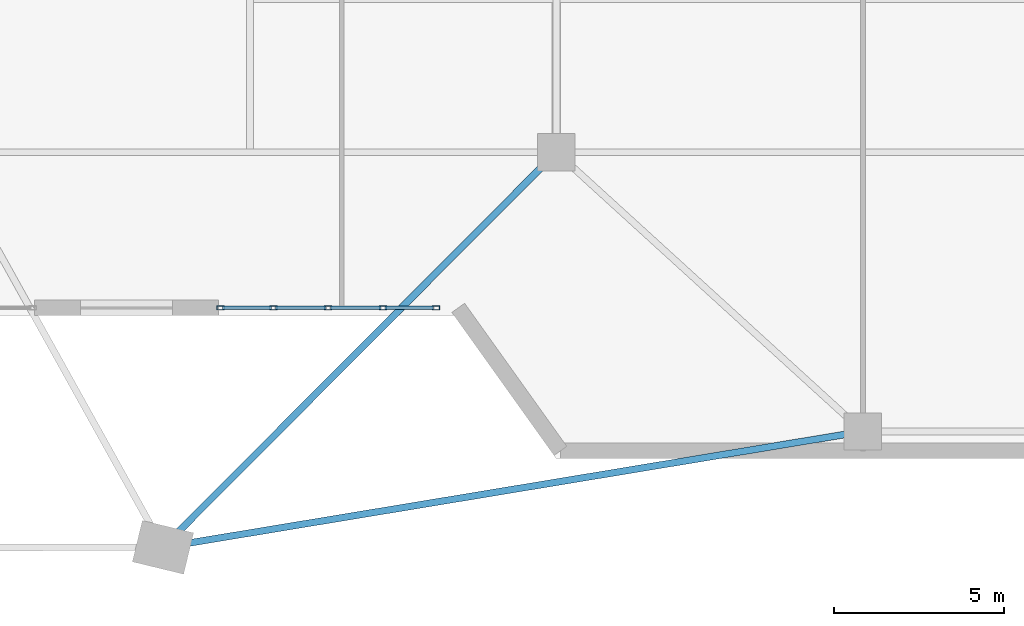
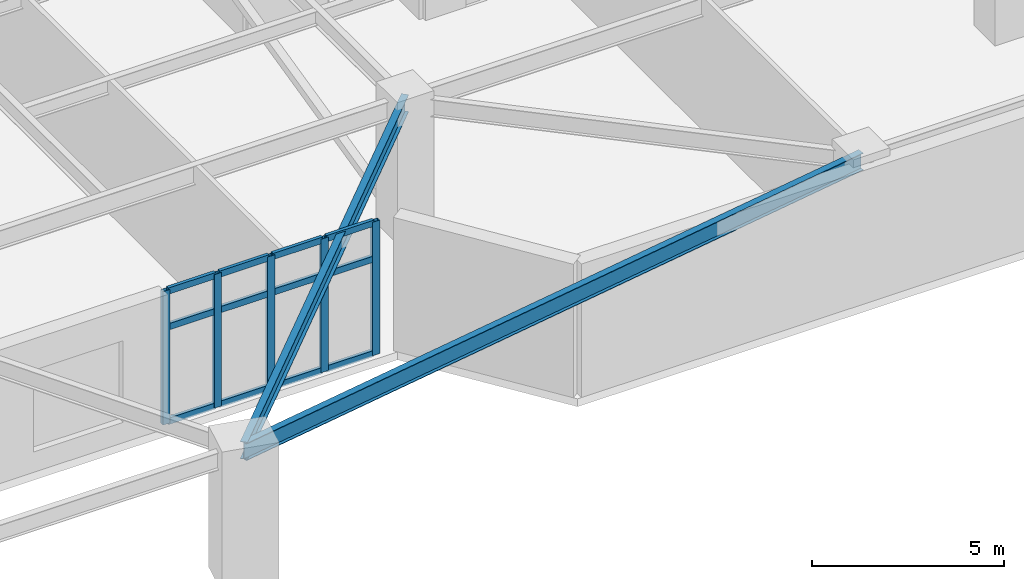
# One storey, part 10 of 29: 17 members, 2 beams, 1 element without a shape of its own.
"""IFC4 building model written with IfcOpenShell, lengths in metres."""

from ifc_helpers import new_model, si_unit, direction, frame, origin, origin_2d, place, context, subcontext, project, spatial, hollow_rectangle, i_section, extrude, source, transform, mapped, material, layer, layer_set, material_profile, profile_set, type_object, element, aggregate, save


model = new_model("IFC4")

# Units and contexts
model_context = context("Model", 3, precision=1e-05, world=origin(), true_north=direction((0.0, 1.0)))
body_context = subcontext(model_context, "Body", "Model", "MODEL_VIEW")
ifc_project = project(units=[si_unit("LENGTHUNIT", "METRE"), si_unit("AREAUNIT", "SQUARE_METRE"), si_unit("VOLUMEUNIT", "CUBIC_METRE"), si_unit("PLANEANGLEUNIT", "RADIAN"), si_unit("MASSUNIT", "GRAM", prefix="KILO")], contexts=[model_context])

# Site, building, storey
site_placement = place(None, origin())
site = spatial("IfcSite", under=ifc_project, at=site_placement, CompositionType="ELEMENT")
building_placement = place(site_placement, origin())
building = spatial("IfcBuilding", under=site, at=building_placement, Name="Liaohun Quay Tower", CompositionType="ELEMENT")
storey_placement = place(building_placement, frame((0.0, 0.0, 5.39990234375)))
storey = spatial("IfcBuildingStorey", under=building, at=storey_placement, Name="L02", CompositionType="ELEMENT", Elevation=5.39990234375)

# Beams
ifc_material_1 = material(Name="Steel Q355D", Category="steel")
ifc_material_profile_1 = material_profile(ifc_material_1, i_section(OverallWidth=0.199951171875, OverallDepth=0.550048828125, WebThickness=0.010009765625, FlangeThickness=0.01611328125, at=origin_2d()), Name="HN550x200x10x16")
ifc_profile_set_1 = profile_set([ifc_material_profile_1], Name="Steel Q355D")
beam_type = type_object("IfcBeamType", Name="BM-POD-G2", PredefinedType="BEAM", material=ifc_profile_set_1)
shared_shape_1 = source(origin(), body_context, "Body", "SweptSolid", [
    extrude(i_section(OverallWidth=0.199951171875, OverallDepth=0.550048828125, WebThickness=0.010009765625, FlangeThickness=0.01611328125, at=origin_2d()), origin(), (0.0, 0.0, 1.0), 16.371826171875),
])
beam_1_placement = place(storey_placement, frame((66.447998046875, 12.39892578125, 3.97509765625), z_axis=(0.705606504265, 0.708603881685, 0.0), x_axis=(-0.708603881685, 0.705606504265, 0.0)))
element("IfcBeam", 1, at=beam_1_placement, inside=storey, type_object=beam_type, Name="L02 Primary Grid Girder PC11-PG04", PredefinedType="BEAM", context=body_context, shape_type="MappedRepresentation", body=[
    mapped(shared_shape_1, transform((0.0, 0.0, 0.0), x_axis=(1.0, 0.0, 0.0), y_axis=(0.0, 1.0, 0.0), z_axis=(0.0, 0.0, 1.0), scale=1.0)),
])
shared_shape_2 = source(origin(), body_context, "Body", "SweptSolid", [
    extrude(i_section(OverallWidth=0.199951171875, OverallDepth=0.550048828125, WebThickness=0.010009765625, FlangeThickness=0.01611328125, at=origin_2d()), origin(), (0.0, 0.0, 1.0), 20.83154296875),
])
beam_2_placement = place(storey_placement, frame((66.447998046875, 12.39892578125, 3.97509765625), z_axis=(0.98658174219, 0.163268080095, 0.0), x_axis=(-0.163268080095, 0.98658174219, 0.0)))
element("IfcBeam", 2, at=beam_2_placement, inside=storey, type_object=beam_type, Name="L02 Perimeter Tie Girder PC11-PT03", PredefinedType="BEAM", context=body_context, shape_type="MappedRepresentation", body=[
    mapped(shared_shape_2, transform((0.0, 0.0, 0.0), x_axis=(1.0, 0.0, 0.0), y_axis=(0.0, 1.0, 0.0), z_axis=(0.0, 0.0, 1.0), scale=1.0)),
])

# Curtain wall, members
ifc_material_2 = material(Name="Thermally broken waterfront lobby unitised curtain wall")
ifc_layer = layer(ifc_material_2, 0.219970703125, Name="Thermally broken waterfront lobby unitised curtain wall")
ifc_layer_set = layer_set([ifc_layer], Name="Thermally broken waterfront lobby unitised curtain wall")
curtain_wall_type = type_object("IfcCurtainWallType", Name="CW-POD-PROM", PredefinedType="NOTDEFINED", material=ifc_layer_set)
curtain_wall_placement = place(storey_placement, origin())
curtain_wall = element("IfcCurtainWall", 3, at=curtain_wall_placement, inside=storey, type_object=curtain_wall_type, Name="L02 Waterfront Lobby Curtain Wall CW1-3", PredefinedType="NOTDEFINED")
ifc_material_3 = material(Name="Anodised aluminium 6063-T6", Category="aluminium")
ifc_material_profile_2 = material_profile(ifc_material_3, hollow_rectangle(XDim=0.10009765625, YDim=0.199951171875, WallThickness=0.006103515625, at=origin_2d()), Name="RHS200x100x6")
ifc_profile_set_2 = profile_set([ifc_material_profile_2], Name="Anodised aluminium 6063-T6")
member_type_1 = type_object("IfcMemberType", Name="MEM-CWT-LOB", PredefinedType="USERDEFINED", material=ifc_profile_set_2)
shared_shape_3 = source(origin(), body_context, "Body", "SweptSolid", [
    extrude(hollow_rectangle(XDim=0.10009765625, YDim=0.199951171875, WallThickness=0.006103515625, at=origin_2d()), origin(), (0.0, 0.0, 1.0), 1.42919921875),
])
member_1_placement = place(storey_placement, frame((68.201904296875, 19.429931640625, 0.050048828125), z_axis=(1.0, 0.0, 0.0), x_axis=(0.0, 1.0, 0.0)))
member_1 = element("IfcMember", 4, at=member_1_placement, type_object=member_type_1, Name="CW1 transom 1.1", ObjectType="TRANSOM", PredefinedType="USERDEFINED", context=body_context, shape_type="MappedRepresentation", body=[
    mapped(shared_shape_3, transform((0.0, 0.0, 0.0), x_axis=(1.0, 0.0, 0.0), y_axis=(0.0, 1.0, 0.0), z_axis=(0.0, 0.0, 1.0), scale=1.0)),
])
member_2_placement = place(storey_placement, frame((68.201904296875, 19.429931640625, 3.06005859375), z_axis=(1.0, 0.0, 0.0), x_axis=(0.0, 1.0, 0.0)))
member_2 = element("IfcMember", 5, at=member_2_placement, type_object=member_type_1, Name="CW1 transom 1.2", ObjectType="TRANSOM", PredefinedType="USERDEFINED", context=body_context, shape_type="MappedRepresentation", body=[
    mapped(shared_shape_3, transform((0.0, 0.0, 0.0), x_axis=(1.0, 0.0, 0.0), y_axis=(0.0, 1.0, 0.0), z_axis=(0.0, 0.0, 1.0), scale=1.0)),
])
member_3_placement = place(storey_placement, frame((68.201904296875, 19.429931640625, 4.2001953125), z_axis=(1.0, 0.0, 0.0), x_axis=(0.0, 1.0, 0.0)))
member_3 = element("IfcMember", 6, at=member_3_placement, type_object=member_type_1, Name="CW1 transom 1.3", ObjectType="TRANSOM", PredefinedType="USERDEFINED", context=body_context, shape_type="MappedRepresentation", body=[
    mapped(shared_shape_3, transform((0.0, 0.0, 0.0), x_axis=(1.0, 0.0, 0.0), y_axis=(0.0, 1.0, 0.0), z_axis=(0.0, 0.0, 1.0), scale=1.0)),
])
shared_shape_4 = source(origin(), body_context, "Body", "SweptSolid", [
    extrude(hollow_rectangle(XDim=0.10009765625, YDim=0.199951171875, WallThickness=0.006103515625, at=origin_2d()), origin(), (0.0, 0.0, 1.0), 1.489013671875),
])
member_4_placement = place(storey_placement, frame((69.7509765625, 19.429931640625, 0.050048828125), z_axis=(1.0, 0.0, 0.0), x_axis=(0.0, 1.0, 0.0)))
member_4 = element("IfcMember", 7, at=member_4_placement, type_object=member_type_1, Name="CW1 transom 2.1", ObjectType="TRANSOM", PredefinedType="USERDEFINED", context=body_context, shape_type="MappedRepresentation", body=[
    mapped(shared_shape_4, transform((0.0, 0.0, 0.0), x_axis=(1.0, 0.0, 0.0), y_axis=(0.0, 1.0, 0.0), z_axis=(0.0, 0.0, 1.0), scale=1.0)),
])
member_5_placement = place(storey_placement, frame((69.7509765625, 19.429931640625, 3.06005859375), z_axis=(1.0, 0.0, 0.0), x_axis=(0.0, 1.0, 0.0)))
member_5 = element("IfcMember", 8, at=member_5_placement, type_object=member_type_1, Name="CW1 transom 2.2", ObjectType="TRANSOM", PredefinedType="USERDEFINED", context=body_context, shape_type="MappedRepresentation", body=[
    mapped(shared_shape_4, transform((0.0, 0.0, 0.0), x_axis=(1.0, 0.0, 0.0), y_axis=(0.0, 1.0, 0.0), z_axis=(0.0, 0.0, 1.0), scale=1.0)),
])
member_6_placement = place(storey_placement, frame((69.7509765625, 19.429931640625, 4.2001953125), z_axis=(1.0, 0.0, 0.0), x_axis=(0.0, 1.0, 0.0)))
member_6 = element("IfcMember", 9, at=member_6_placement, type_object=member_type_1, Name="CW1 transom 2.3", ObjectType="TRANSOM", PredefinedType="USERDEFINED", context=body_context, shape_type="MappedRepresentation", body=[
    mapped(shared_shape_4, transform((0.0, 0.0, 0.0), x_axis=(1.0, 0.0, 0.0), y_axis=(0.0, 1.0, 0.0), z_axis=(0.0, 0.0, 1.0), scale=1.0)),
])
member_7_placement = place(storey_placement, frame((71.360107421875, 19.429931640625, 0.050048828125), z_axis=(1.0, 0.0, 0.0), x_axis=(0.0, 1.0, 0.0)))
member_7 = element("IfcMember", 10, at=member_7_placement, type_object=member_type_1, Name="CW1 transom 3.1", ObjectType="TRANSOM", PredefinedType="USERDEFINED", context=body_context, shape_type="MappedRepresentation", body=[
    mapped(shared_shape_4, transform((0.0, 0.0, 0.0), x_axis=(1.0, 0.0, 0.0), y_axis=(0.0, 1.0, 0.0), z_axis=(0.0, 0.0, 1.0), scale=1.0)),
])
member_8_placement = place(storey_placement, frame((71.360107421875, 19.429931640625, 3.06005859375), z_axis=(1.0, 0.0, 0.0), x_axis=(0.0, 1.0, 0.0)))
member_8 = element("IfcMember", 11, at=member_8_placement, type_object=member_type_1, Name="CW1 transom 3.2", ObjectType="TRANSOM", PredefinedType="USERDEFINED", context=body_context, shape_type="MappedRepresentation", body=[
    mapped(shared_shape_4, transform((0.0, 0.0, 0.0), x_axis=(1.0, 0.0, 0.0), y_axis=(0.0, 1.0, 0.0), z_axis=(0.0, 0.0, 1.0), scale=1.0)),
])
member_9_placement = place(storey_placement, frame((71.360107421875, 19.429931640625, 4.2001953125), z_axis=(1.0, 0.0, 0.0), x_axis=(0.0, 1.0, 0.0)))
member_9 = element("IfcMember", 12, at=member_9_placement, type_object=member_type_1, Name="CW1 transom 3.3", ObjectType="TRANSOM", PredefinedType="USERDEFINED", context=body_context, shape_type="MappedRepresentation", body=[
    mapped(shared_shape_4, transform((0.0, 0.0, 0.0), x_axis=(1.0, 0.0, 0.0), y_axis=(0.0, 1.0, 0.0), z_axis=(0.0, 0.0, 1.0), scale=1.0)),
])
shared_shape_5 = source(origin(), body_context, "Body", "SweptSolid", [
    extrude(hollow_rectangle(XDim=0.10009765625, YDim=0.199951171875, WallThickness=0.006103515625, at=origin_2d()), origin(), (0.0, 0.0, 1.0), 1.428955078125),
])
member_10_placement = place(storey_placement, frame((72.968994140625, 19.429931640625, 0.050048828125), z_axis=(1.0, 0.0, 0.0), x_axis=(0.0, 1.0, 0.0)))
member_10 = element("IfcMember", 13, at=member_10_placement, type_object=member_type_1, Name="CW1 transom 4.1", ObjectType="TRANSOM", PredefinedType="USERDEFINED", context=body_context, shape_type="MappedRepresentation", body=[
    mapped(shared_shape_5, transform((0.0, 0.0, 0.0), x_axis=(1.0, 0.0, 0.0), y_axis=(0.0, 1.0, 0.0), z_axis=(0.0, 0.0, 1.0), scale=1.0)),
])
member_11_placement = place(storey_placement, frame((72.968994140625, 19.429931640625, 3.06005859375), z_axis=(1.0, 0.0, 0.0), x_axis=(0.0, 1.0, 0.0)))
member_11 = element("IfcMember", 14, at=member_11_placement, type_object=member_type_1, Name="CW1 transom 4.2", ObjectType="TRANSOM", PredefinedType="USERDEFINED", context=body_context, shape_type="MappedRepresentation", body=[
    mapped(shared_shape_5, transform((0.0, 0.0, 0.0), x_axis=(1.0, 0.0, 0.0), y_axis=(0.0, 1.0, 0.0), z_axis=(0.0, 0.0, 1.0), scale=1.0)),
])
member_12_placement = place(storey_placement, frame((72.968994140625, 19.429931640625, 4.2001953125), z_axis=(1.0, 0.0, 0.0), x_axis=(0.0, 1.0, 0.0)))
member_12 = element("IfcMember", 15, at=member_12_placement, type_object=member_type_1, Name="CW1 transom 4.3", ObjectType="TRANSOM", PredefinedType="USERDEFINED", context=body_context, shape_type="MappedRepresentation", body=[
    mapped(shared_shape_5, transform((0.0, 0.0, 0.0), x_axis=(1.0, 0.0, 0.0), y_axis=(0.0, 1.0, 0.0), z_axis=(0.0, 0.0, 1.0), scale=1.0)),
])
ifc_material_profile_3 = material_profile(ifc_material_3, hollow_rectangle(XDim=0.1201171875, YDim=0.219970703125, WallThickness=0.008056640625, at=origin_2d()), Name="RHS220x120x8")
ifc_profile_set_3 = profile_set([ifc_material_profile_3], Name="Anodised aluminium 6063-T6")
member_type_2 = type_object("IfcMemberType", Name="MEM-CWM-LOB", PredefinedType="MULLION", material=ifc_profile_set_3)
shared_shape_6 = source(origin(), body_context, "Body", "SweptSolid", [
    extrude(hollow_rectangle(XDim=0.1201171875, YDim=0.219970703125, WallThickness=0.008056640625, at=origin_2d()), origin(), (0.0, 0.0, 1.0), 4.25),
])
member_13_placement = place(storey_placement, frame((68.14208984375, 19.429931640625, 0.0), z_axis=(0.0, 0.0, 1.0), x_axis=(0.0, 1.0, 0.0)))
member_13 = element("IfcMember", 16, at=member_13_placement, type_object=member_type_2, Name="CW1 mullion 1", PredefinedType="MULLION", context=body_context, shape_type="MappedRepresentation", body=[
    mapped(shared_shape_6, transform((0.0, 0.0, 0.0), x_axis=(1.0, 0.0, 0.0), y_axis=(0.0, 1.0, 0.0), z_axis=(0.0, 0.0, 1.0), scale=1.0)),
])
member_14_placement = place(storey_placement, frame((69.69091796875, 19.429931640625, 0.0), z_axis=(0.0, 0.0, 1.0), x_axis=(0.0, 1.0, 0.0)))
member_14 = element("IfcMember", 17, at=member_14_placement, type_object=member_type_2, Name="CW1 mullion 2", PredefinedType="MULLION", context=body_context, shape_type="MappedRepresentation", body=[
    mapped(shared_shape_6, transform((0.0, 0.0, 0.0), x_axis=(1.0, 0.0, 0.0), y_axis=(0.0, 1.0, 0.0), z_axis=(0.0, 0.0, 1.0), scale=1.0)),
])
member_15_placement = place(storey_placement, frame((71.300048828125, 19.429931640625, 0.0), z_axis=(0.0, 0.0, 1.0), x_axis=(0.0, 1.0, 0.0)))
member_15 = element("IfcMember", 18, at=member_15_placement, type_object=member_type_2, Name="CW1 mullion 3", PredefinedType="MULLION", context=body_context, shape_type="MappedRepresentation", body=[
    mapped(shared_shape_6, transform((0.0, 0.0, 0.0), x_axis=(1.0, 0.0, 0.0), y_axis=(0.0, 1.0, 0.0), z_axis=(0.0, 0.0, 1.0), scale=1.0)),
])
member_16_placement = place(storey_placement, frame((72.908935546875, 19.429931640625, 0.0), z_axis=(0.0, 0.0, 1.0), x_axis=(0.0, 1.0, 0.0)))
member_16 = element("IfcMember", 19, at=member_16_placement, type_object=member_type_2, Name="CW1 mullion 4", PredefinedType="MULLION", context=body_context, shape_type="MappedRepresentation", body=[
    mapped(shared_shape_6, transform((0.0, 0.0, 0.0), x_axis=(1.0, 0.0, 0.0), y_axis=(0.0, 1.0, 0.0), z_axis=(0.0, 0.0, 1.0), scale=1.0)),
])
member_17_placement = place(storey_placement, frame((74.4580078125, 19.429931640625, 0.0), z_axis=(0.0, 0.0, 1.0), x_axis=(0.0, 1.0, 0.0)))
member_17 = element("IfcMember", 20, at=member_17_placement, type_object=member_type_2, Name="CW1 mullion 5", PredefinedType="MULLION", context=body_context, shape_type="MappedRepresentation", body=[
    mapped(shared_shape_6, transform((0.0, 0.0, 0.0), x_axis=(1.0, 0.0, 0.0), y_axis=(0.0, 1.0, 0.0), z_axis=(0.0, 0.0, 1.0), scale=1.0)),
])
aggregate(curtain_wall, [member_13, member_14, member_15, member_16, member_17, member_1, member_2, member_3, member_4, member_5, member_6, member_7, member_8, member_9, member_10, member_11, member_12])

save(model, "model.ifc")
